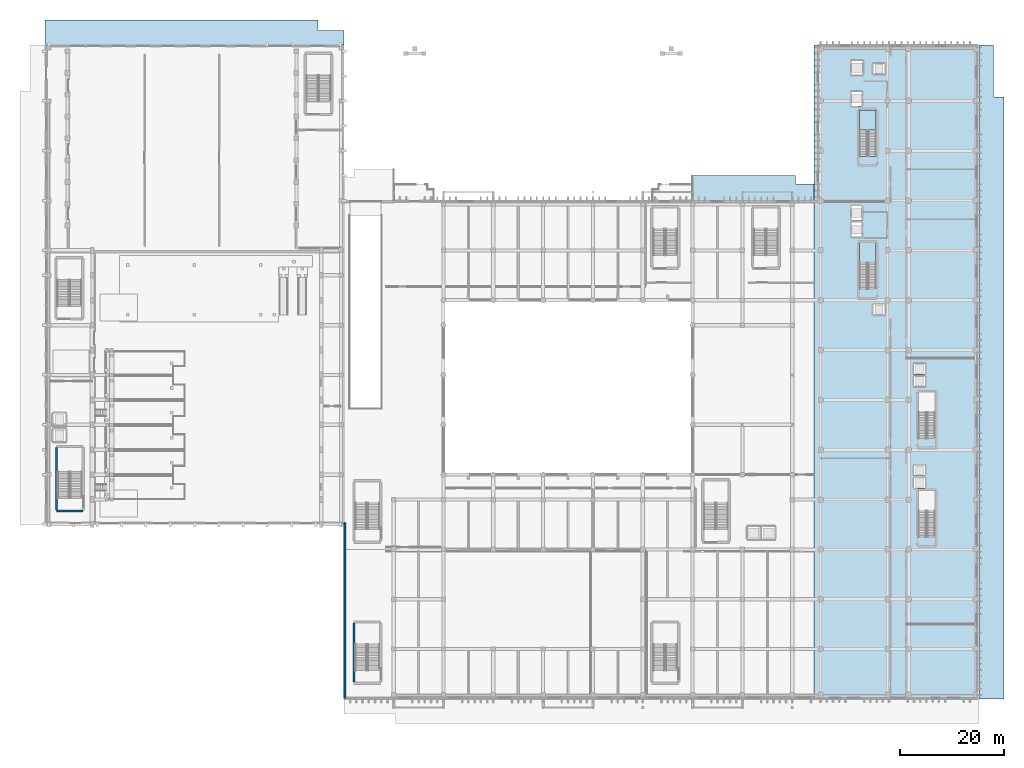
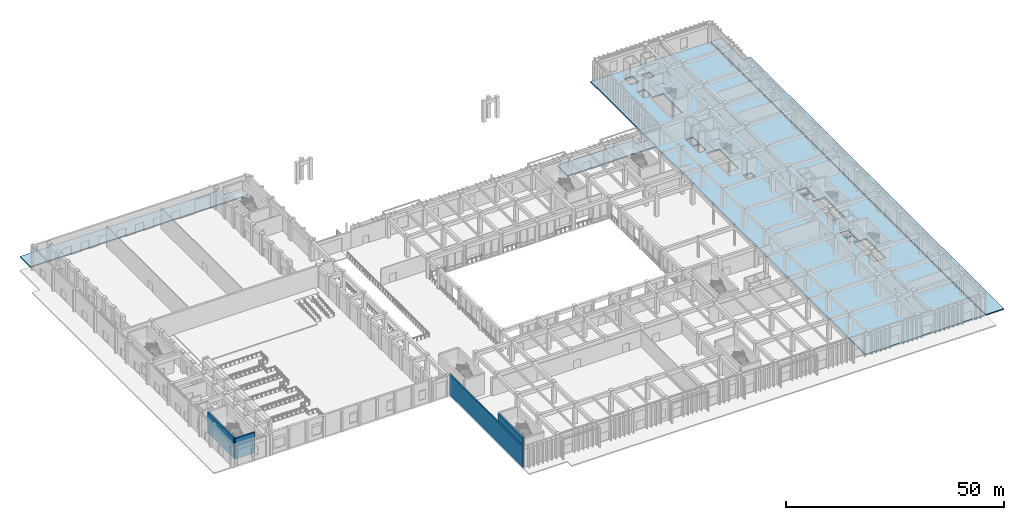
# One storey, part 40 of 87: 6 slabs, 4 walls, 2 elements without a shape of their own.
"""IFC4 building model written with IfcOpenShell, lengths in metres."""

from ifc_helpers import new_model, si_unit, direction, frame, frame_2d, origin, place, context, subcontext, project, spatial, polyline, rectangle, outline, extrude, material, layer, layer_set, type_object, element, aggregate, save


model = new_model("IFC4")

# Units and contexts
model_context = context("Model", 3, precision=1e-05, world=origin(), true_north=direction((0.0, 1.0)))
body_context = subcontext(model_context, "Body", "Model", "MODEL_VIEW")
ifc_project = project(units=[si_unit("LENGTHUNIT", "METRE"), si_unit("AREAUNIT", "SQUARE_METRE"), si_unit("VOLUMEUNIT", "CUBIC_METRE"), si_unit("PLANEANGLEUNIT", "RADIAN"), si_unit("MASSUNIT", "GRAM", prefix="KILO")], contexts=[model_context])

# Site, building, storey
site_placement = place(None, origin())
site = spatial("IfcSite", under=ifc_project, at=site_placement, CompositionType="ELEMENT")
building_placement = place(site_placement, origin())
building = spatial("IfcBuilding", under=site, at=building_placement, Name="Nakhvara Creek Congress Hotel", CompositionType="ELEMENT")
storey_placement = place(building_placement, origin())
storey = spatial("IfcBuildingStorey", under=building, at=storey_placement, Name="L00", CompositionType="ELEMENT", Elevation=0.0)

# Slabs
ifc_material_1 = material(Name="Concrete C40/50", Category="concrete")
ifc_layer_1 = layer(ifc_material_1, 0.320068359375)
ifc_layer_set_1 = layer_set([ifc_layer_1], Name="Concrete C40/50")
slab_type_1 = type_object("IfcSlabType", Name="SL-EXT-320", PredefinedType="FLOOR", material=ifc_layer_set_1)
slab_1_placement = place(storey_placement, frame((0.0, 0.0, -0.320068359375)))
element("IfcSlab", 1, at=slab_1_placement, inside=storey, type_object=slab_type_1, Name="Outdoor Terrace Slab SLB-L00-APRON-N1", PredefinedType="FLOOR", context=body_context, shape_type="SweptSolid", body=[
    extrude(outline(polyline([(0.0, 126.0), (57.60009765625, 126.0), (57.60009765625, 128.800048828125), (52.60009765625, 128.800048828125), (52.60009765625, 130.800048828125), (0.0, 130.800048828125), (0.0, 126.0)])), origin(), (0.0, 0.0, 1.0), 0.320068359375),
])
slab_2_placement = place(storey_placement, frame((0.0, 0.0, -0.320068359375)))
element("IfcSlab", 2, at=slab_2_placement, inside=storey, type_object=slab_type_1, Name="Outdoor Terrace Slab SLB-L00-APRON-N3", PredefinedType="FLOOR", context=body_context, shape_type="SweptSolid", body=[
    extrude(outline(polyline([(124.800048828125, 96.0), (148.199951171875, 96.0), (148.199951171875, 99.199951171875), (144.60009765625, 99.199951171875), (144.60009765625, 100.800048828125), (124.800048828125, 100.800048828125), (124.800048828125, 96.0)])), origin(), (0.0, 0.0, 1.0), 0.320068359375),
])
slab_3_placement = place(storey_placement, frame((0.0, 0.0, -0.320068359375)))
element("IfcSlab", 3, at=slab_3_placement, inside=storey, type_object=slab_type_1, Name="Outdoor Terrace Slab SLB-L00-APRON-E", PredefinedType="FLOOR", context=body_context, shape_type="SweptSolid", body=[
    extrude(outline(polyline([(180.0, 0.0), (184.800048828125, 0.0), (184.800048828125, 116.0), (182.800048828125, 116.0), (182.800048828125, 126.0), (180.0, 126.0), (180.0, 0.0)])), origin(), (0.0, 0.0, 1.0), 0.320068359375),
])
ifc_layer_2 = layer(ifc_material_1, 0.419921875)
ifc_layer_set_2 = layer_set([ifc_layer_2], Name="Concrete C40/50")
slab_type_2 = type_object("IfcSlabType", Name="SL-FLR-420", PredefinedType="FLOOR", material=ifc_layer_set_2)
slab_4_placement = place(storey_placement, frame((0.0, 0.0, -0.419921875)))
element("IfcSlab", 4, at=slab_4_placement, inside=storey, type_object=slab_type_2, Name="Structural Slab SLB-L00-V5", PredefinedType="FLOOR", context=body_context, shape_type="SweptSolid", body=[
    extrude(outline(polyline([(148.199951171875, 126.0), (179.75, 126.0), (179.75, 0.0), (148.199951171875, 0.0), (148.199951171875, 126.0)]), holes=[polyline([(161.800048828125, 74.0), (161.800048828125, 76.0), (159.60009765625, 76.0), (159.60009765625, 74.0), (161.800048828125, 74.0)]), polyline([(160.14990234375, 78.93994140625), (160.14990234375, 87.89990234375), (156.919921875, 87.89990234375), (156.919921875, 78.93994140625), (160.14990234375, 78.93994140625)]), polyline([(155.39990234375, 89.0), (157.39990234375, 89.0), (157.39990234375, 91.800048828125), (155.39990234375, 91.800048828125), (155.39990234375, 89.0)]), polyline([(155.39990234375, 92.199951171875), (157.39990234375, 92.199951171875), (157.39990234375, 95.0), (155.39990234375, 95.0), (155.39990234375, 92.199951171875)]), polyline([(160.14990234375, 104.5400390625), (160.14990234375, 113.5), (156.919921875, 113.5), (156.919921875, 104.5400390625), (160.14990234375, 104.5400390625)]), polyline([(155.39990234375, 114.199951171875), (157.39990234375, 114.199951171875), (157.39990234375, 117.0), (155.39990234375, 117.0), (155.39990234375, 114.199951171875)]), polyline([(155.39990234375, 120.199951171875), (157.60009765625, 120.199951171875), (157.60009765625, 123.0), (155.39990234375, 123.0), (155.39990234375, 120.199951171875)]), polyline([(171.550048828125, 40.10009765625), (168.320068359375, 40.10009765625), (168.320068359375, 31.139892578125), (171.550048828125, 31.139892578125), (171.550048828125, 40.10009765625)]), polyline([(167.39990234375, 40.60009765625), (169.60009765625, 40.60009765625), (169.60009765625, 42.60009765625), (167.39990234375, 42.60009765625), (167.39990234375, 40.60009765625)]), polyline([(167.39990234375, 43.0), (169.60009765625, 43.0), (169.60009765625, 45.0), (167.39990234375, 45.0), (167.39990234375, 43.0)]), polyline([(171.550048828125, 50.139892578125), (171.550048828125, 59.10009765625), (168.320068359375, 59.10009765625), (168.320068359375, 50.139892578125), (171.550048828125, 50.139892578125)]), polyline([(167.39990234375, 60.199951171875), (169.60009765625, 60.199951171875), (169.60009765625, 62.199951171875), (167.39990234375, 62.199951171875), (167.39990234375, 60.199951171875)]), polyline([(167.39990234375, 62.60009765625), (169.60009765625, 62.60009765625), (169.60009765625, 64.60009765625), (167.39990234375, 64.60009765625), (167.39990234375, 62.60009765625)]), polyline([(159.60009765625, 120.39990234375), (161.800048828125, 120.39990234375), (161.800048828125, 122.39990234375), (159.60009765625, 122.39990234375), (159.60009765625, 120.39990234375)])]), origin(), (0.0, 0.0, 1.0), 0.419921875),
])

# Stair, slab
stair_type = type_object("IfcStairType", Name="ST-CORE-160", PredefinedType="HALF_TURN_STAIR", material=ifc_material_1)
stair_1_placement = place(storey_placement, origin())
stair_1 = element("IfcStair", 5, at=stair_1_placement, inside=storey, type_object=stair_type, Name="L00 Protected Exit Stair ST01", PredefinedType="HALF_TURN_STAIR")
ifc_layer_3 = layer(ifc_material_1, 0.199951171875)
ifc_layer_set_3 = layer_set([ifc_layer_3], Name="Concrete C40/50")
slab_type_3 = type_object("IfcSlabType", Name="SL-LAND-200", PredefinedType="LANDING", material=ifc_layer_set_3)
slab_5_placement = place(storey_placement, frame((0.0, 0.0, 2.800048828125)))
slab_5 = element("IfcSlab", 6, at=slab_5_placement, type_object=slab_type_3, Name="ST01 landing 1", PredefinedType="LANDING", context=body_context, shape_type="SweptSolid", body=[
    extrude(outline(polyline([(160.14990234375, 83.97998046875), (160.14990234375, 87.89990234375), (156.919921875, 87.89990234375), (156.919921875, 83.97998046875), (160.14990234375, 83.97998046875)])), origin(), (0.0, 0.0, 1.0), 0.199951171875),
])
aggregate(stair_1, [slab_5])

stair_2_placement = place(storey_placement, origin())
stair_2 = element("IfcStair", 7, at=stair_2_placement, inside=storey, type_object=stair_type, Name="L00 Protected Exit Stair ST02", PredefinedType="HALF_TURN_STAIR")
slab_6_placement = place(storey_placement, frame((0.0, 0.0, 2.800048828125)))
slab_6 = element("IfcSlab", 8, at=slab_6_placement, type_object=slab_type_3, Name="ST02 landing 1", PredefinedType="LANDING", context=body_context, shape_type="SweptSolid", body=[
    extrude(outline(polyline([(160.14990234375, 109.580078125), (160.14990234375, 113.5), (156.919921875, 113.5), (156.919921875, 109.580078125), (160.14990234375, 109.580078125)])), origin(), (0.0, 0.0, 1.0), 0.199951171875),
])
aggregate(stair_2, [slab_6])

# Walls
ifc_material_2 = material(Name="Concrete C50/60", Category="concrete")
ifc_layer_4 = layer(ifc_material_2, 0.449951171875)
ifc_layer_set_4 = layer_set([ifc_layer_4], Name="Concrete C50/60")
wall_type_1 = type_object("IfcWallType", Name="W-CORE-450", PredefinedType="SHEAR", material=ifc_layer_set_4)
wall_1_placement = place(storey_placement, frame((2.22998046875, 36.179931640625, 0.0), z_axis=(0.0, 0.0, 1.0), x_axis=(1.0, 0.0, 0.0)))
element("IfcWall", 9, at=wall_1_placement, inside=storey, type_object=wall_type_1, Name="Core Shear Wall WS02-CWALL-L00-0733", PredefinedType="SHEAR", context=body_context, shape_type="SweptSolid", body=[
    extrude(rectangle(XDim=5.14990234375, YDim=0.449951171875, at=frame_2d((2.574951171875, 0.0))), origin(), (0.0, 0.0, 1.0), 5.699951171875),
])
wall_2_placement = place(storey_placement, frame((2.22998046875, 36.39990234375, 0.0), z_axis=(0.0, 0.0, 1.0), x_axis=(0.0, 1.0, 0.0)))
element("IfcWall", 10, at=wall_2_placement, inside=storey, type_object=wall_type_1, Name="Core Shear Wall WS02-CWALL-L00-0735", PredefinedType="SHEAR", context=body_context, shape_type="SweptSolid", body=[
    extrude(rectangle(XDim=12.0, YDim=0.449951171875, at=frame_2d((6.0, 0.0))), origin(), (0.0, 0.0, 1.0), 5.699951171875),
])
wall_3_placement = place(storey_placement, frame((59.550048828125, 3.199951171875, 0.0), z_axis=(0.0, 0.0, 1.0), x_axis=(0.0, 1.0, 0.0)))
element("IfcWall", 11, at=wall_3_placement, inside=storey, type_object=wall_type_1, Name="Core Shear Wall WS02-CWALL-L00-0945", PredefinedType="SHEAR", context=body_context, shape_type="SweptSolid", body=[
    extrude(rectangle(XDim=11.400146484375, YDim=0.449951171875, at=frame_2d((5.7001953125, 0.0))), origin(), (0.0, 0.0, 1.0), 5.699951171875),
])
ifc_material_3 = material(Name="Honed pale Omani limestone cladding", Category="masonry")
ifc_layer_5 = layer(ifc_material_3, 0.050048828125)
ifc_material_4 = material(Name="Mineral wool thermal insulation")
ifc_layer_6 = layer(ifc_material_4, 0.110107421875)
ifc_material_5 = material(Name="Precast concrete C40/50", Category="concrete")
ifc_layer_7 = layer(ifc_material_5, 0.219970703125)
ifc_layer_set_5 = layer_set([ifc_layer_5, ifc_layer_6, ifc_layer_7], Name="Precast concrete C40/50")
wall_type_2 = type_object("IfcWallType", Name="W-EXT-380", PredefinedType="SOLIDWALL", material=ifc_layer_set_5)
wall_4_placement = place(storey_placement, frame((57.7900390625, 0.10009765625, 0.0), z_axis=(0.0, 0.0, 1.0), x_axis=(0.0, 1.0, 0.0)))
element("IfcWall", 12, at=wall_4_placement, inside=storey, type_object=wall_type_2, Name="Exterior Wall WE03-EW-L00-0034", PredefinedType="SOLIDWALL", context=body_context, shape_type="SweptSolid", body=[
    extrude(rectangle(XDim=33.7998046875, YDim=0.3798828125, at=frame_2d((16.89990234375, 0.0))), origin(), (0.0, 0.0, 1.0), 5.699951171875),
])

save(model, "model.ifc")
